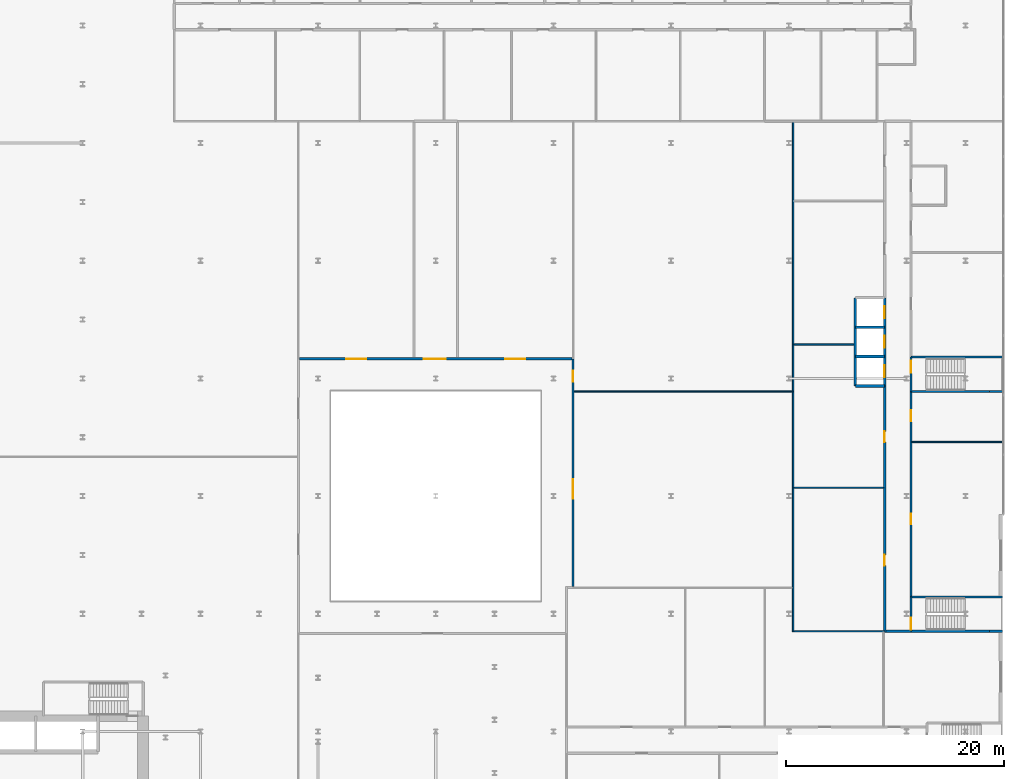
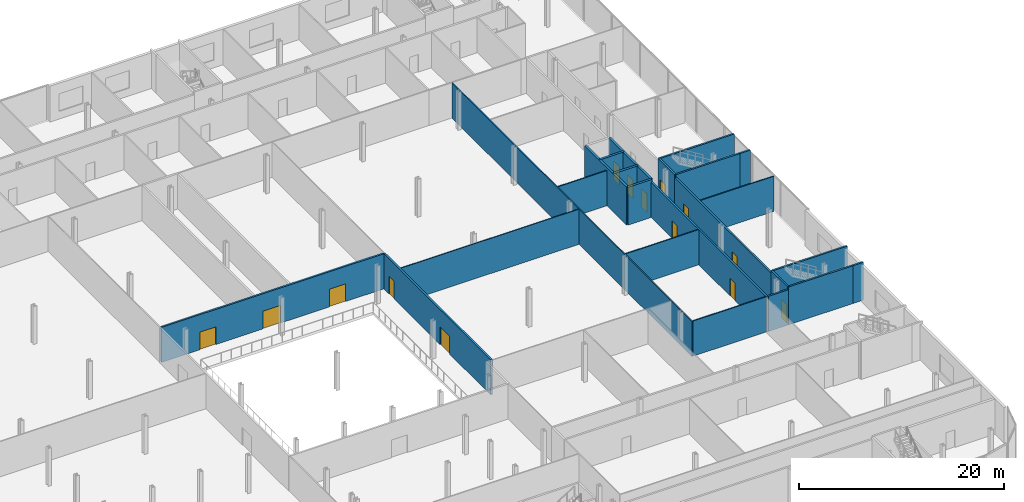
# One storey, part 33 of 47: 24 walls, 14 doors, 14 openings.
"""IFC4 building model written with IfcOpenShell, lengths in metres."""

import ifcopenshell
import ifcopenshell.guid

model = None  # the IFC model being written
_history = None  # IfcOwnerHistory: only IFC2X3 demands one
_inside = {}  # id of a spatial element -> (the spatial element, [elements in it])
_under = {}  # id of a project, library or spatial element -> (it, [spatial elements below it])
_declared = {}  # id of a project -> (the project, [libraries it declares])
_typed = {}  # id of a type object -> (the type object, [elements of that type])
_made_of = {}  # id of a material, layer set ... -> (it, [elements and type objects made of it])


def new_model(schema):
    """Start an empty IFC model of exactly this schema.

    Asked for "IFC4X3", IfcOpenShell would pick the latest addendum, in which some entities
    have other attributes; the version numbers below select the first issue.
    IFC2X3 requires an IfcOwnerHistory on every rooted entity: one is made here for all.
    """
    global model, _history
    if schema == "IFC4X3":
        model = ifcopenshell.file(schema_version=(4, 3, 0, 0))
    else:
        model = ifcopenshell.file(schema=schema)
    _inside.clear()
    _under.clear()
    _declared.clear()
    _typed.clear()
    _made_of.clear()
    _history = None
    if model.schema == "IFC2X3":
        org = make("IfcOrganization", Name="unknown")
        user = make(
            "IfcPersonAndOrganization",
            ThePerson=make("IfcPerson", FamilyName="unknown"),
            TheOrganization=org,
        )
        app = make(
            "IfcApplication",
            ApplicationDeveloper=org,
            Version="unknown",
            ApplicationFullName="unknown",
            ApplicationIdentifier="unknown",
        )
        _history = make(
            "IfcOwnerHistory",
            OwningUser=user,
            OwningApplication=app,
            ChangeAction="ADDED",
            CreationDate=0,
        )
    return model


def make(cls, **values):
    """One entity of the class cls with the attributes given. An attribute that is None is left unset."""
    return model.create_entity(
        cls, **{name: value for name, value in values.items() if value is not None}
    )


def rooted(cls, **values):
    """An entity with a GlobalId (a new one), such as an element, a storey or a relation."""
    return make(cls, GlobalId=ifcopenshell.guid.new(), OwnerHistory=_history, **values)


def si_unit(unit_type, name, prefix=None):
    """IfcSIUnit, for example si_unit("LENGTHUNIT", "METRE", prefix="MILLI")."""
    return make("IfcSIUnit", UnitType=unit_type, Prefix=prefix, Name=name)


def assignment(units):
    """IfcUnitAssignment: the units of a project."""
    return None if units is None else make("IfcUnitAssignment", Units=units)


def point(xyz):
    """IfcCartesianPoint."""
    return None if xyz is None else make("IfcCartesianPoint", Coordinates=xyz)


def direction(xyz):
    """IfcDirection."""
    return None if xyz is None else make("IfcDirection", DirectionRatios=xyz)


def frame(location, z_axis=None, x_axis=None):
    """IfcAxis2Placement3D, a coordinate frame: its origin and axes. An axis left out is left unset."""
    return make(
        "IfcAxis2Placement3D",
        Location=point(location),
        Axis=direction(z_axis),
        RefDirection=direction(x_axis),
    )


def frame_2d(location, x_axis=None):
    """IfcAxis2Placement2D, a coordinate frame in the plane: its origin and x axis."""
    return make(
        "IfcAxis2Placement2D", Location=point(location), RefDirection=direction(x_axis)
    )


def origin():
    """The frame at (0, 0, 0) with its axes left unset."""
    return frame((0.0, 0.0, 0.0))


def place(relative_to, where):
    """IfcLocalPlacement: puts the frame where relative to a parent placement (None: the world)."""
    return make(
        "IfcLocalPlacement", PlacementRelTo=relative_to, RelativePlacement=where
    )


def context(
    kind, dimensions, precision=None, world=None, true_north=None, identifier=None
):
    """IfcGeometricRepresentationContext, for example the 3D "Model" context."""
    return make(
        "IfcGeometricRepresentationContext",
        ContextIdentifier=identifier,
        ContextType=kind,
        CoordinateSpaceDimension=dimensions,
        Precision=precision,
        WorldCoordinateSystem=world,
        TrueNorth=true_north,
    )


def subcontext(parent, identifier, kind, view, scale=None):
    """IfcGeometricRepresentationSubContext, for example "Body" below "Model"."""
    return make(
        "IfcGeometricRepresentationSubContext",
        ContextIdentifier=identifier,
        ContextType=kind,
        ParentContext=parent,
        TargetScale=scale,
        TargetView=view,
    )


def project(units=None, contexts=None):
    """IfcProject with its units and contexts."""
    return rooted(
        "IfcProject",
        Name="project",
        RepresentationContexts=contexts,
        UnitsInContext=assignment(units),
    )


def spatial(cls, under=None, at=None, **own):
    """A site, building, storey or space (cls), placed at a placement, below another one or the project."""
    s = rooted(cls, ObjectPlacement=at, **own)
    if under is not None:
        _under.setdefault(under.id(), (under, []))[1].append(s)
    return s


def profile(cls, at=None, kind="AREA", **sizes):
    """A parametric profile (cls). Its sizes go by their IFC names, for example OverallWidth=200.0."""
    return make(cls, ProfileType=kind, Position=at, **sizes)


def rectangle(**sizes):
    """IfcRectangleProfileDef."""
    return profile("IfcRectangleProfileDef", **sizes)


def extrude(swept, where, along, depth):
    """IfcExtrudedAreaSolid: the profile swept, set in the frame where, extruded along a direction by depth."""
    return make(
        "IfcExtrudedAreaSolid",
        SweptArea=swept,
        Position=where,
        ExtrudedDirection=direction(along),
        Depth=depth,
    )


def shape(context_of_items, identifier, shape_type, items):
    """IfcShapeRepresentation: the items that make up one representation, for example the "Body"."""
    return make(
        "IfcShapeRepresentation",
        ContextOfItems=context_of_items,
        RepresentationIdentifier=identifier,
        RepresentationType=shape_type,
        Items=items,
    )


def source(mapping_origin, context_of_items, identifier, shape_type, items):
    """IfcRepresentationMap: a shape defined once, which mapped items show again and again."""
    return make(
        "IfcRepresentationMap",
        MappingOrigin=mapping_origin,
        MappedRepresentation=shape(context_of_items, identifier, shape_type, items),
    )


def transform(
    local_origin,
    x_axis=None,
    y_axis=None,
    z_axis=None,
    scale=None,
    scale2=None,
    scale3=None,
    uniform=True,
):
    """IfcCartesianTransformationOperator3D, or its non-uniform kind. x_axis, y_axis, z_axis: its Axis1, 2, 3."""
    if uniform:
        return make(
            "IfcCartesianTransformationOperator3D",
            Axis1=direction(x_axis),
            Axis2=direction(y_axis),
            LocalOrigin=point(local_origin),
            Scale=scale,
            Axis3=direction(z_axis),
        )
    return make(
        "IfcCartesianTransformationOperator3DnonUniform",
        Axis1=direction(x_axis),
        Axis2=direction(y_axis),
        LocalOrigin=point(local_origin),
        Scale=scale,
        Axis3=direction(z_axis),
        Scale2=scale2,
        Scale3=scale3,
    )


def mapped(mapping_source, mapping_target):
    """IfcMappedItem: shows the shape of a source again, moved by a transform."""
    return make(
        "IfcMappedItem", MappingSource=mapping_source, MappingTarget=mapping_target
    )


def material(Name=None, Category=None):
    """IfcMaterial."""
    return make("IfcMaterial", Name=Name, Category=Category)


def layer(
    of_material, thickness, ventilated=None, Name=None, Category=None, Priority=None
):
    """IfcMaterialLayer: one layer of a wall or slab, of a material (None: an air gap)."""
    return make(
        "IfcMaterialLayer",
        Material=of_material,
        LayerThickness=thickness,
        IsVentilated=ventilated,
        Name=Name,
        Category=Category,
        Priority=Priority,
    )


def layer_set(layers, Name=None):
    """IfcMaterialLayerSet."""
    return make("IfcMaterialLayerSet", MaterialLayers=layers, LayerSetName=Name)


def made_of(thing, what):
    """Note that an element or type object is made of a material, layer set ...; save() writes the relation."""
    if what is not None:
        _made_of.setdefault(what.id(), (what, []))[1].append(thing)
    return thing


def type_object(cls, material=None, **own):
    """A type object (cls), such as IfcWallType, which elements share."""
    return made_of(rooted(cls, **own), material)


def element(
    cls,
    number,
    at=None,
    inside=None,
    cuts=None,
    type_object=None,
    material=None,
    context=None,
    identifier="Body",
    shape_type=None,
    held_by="IfcProductDefinitionShape",
    body=None,
    shapes=None,
    **own,
):
    """One element of the class cls, such as IfcWall. Its Tag is "e" and its number.

    at: its placement. inside: the storey or other place that contains it. cuts: it is an
    opening in that element (IfcRelVoidsElement). A single representation is given by context,
    identifier, shape_type and body (its items); several are given by shapes. held_by: the class
    of the entity that holds the representations. save() writes the other relations.
    """
    e = rooted(cls, Tag="e%d" % number, ObjectPlacement=at, **own)
    if body is not None:
        shapes = [shape(context, identifier, shape_type, body)]
    if shapes is not None:
        e.Representation = make(held_by, Representations=shapes)
    if inside is not None:
        _inside.setdefault(inside.id(), (inside, []))[1].append(e)
    if cuts is not None:
        rooted(
            "IfcRelVoidsElement", RelatingBuildingElement=cuts, RelatedOpeningElement=e
        )
    if type_object is not None:
        _typed.setdefault(type_object.id(), (type_object, []))[1].append(e)
    return made_of(e, material)


def fill(opening, filler):
    """IfcRelFillsElement: the door or window that sits in an opening."""
    return rooted(
        "IfcRelFillsElement",
        RelatingOpeningElement=opening,
        RelatedBuildingElement=filler,
    )


def aggregate(whole, parts):
    """IfcRelAggregates: a whole, such as a stair, and the parts it consists of."""
    return rooted("IfcRelAggregates", RelatingObject=whole, RelatedObjects=parts)


def save(model, path):
    """Write the relations noted so far, then the file.

    IfcRelAggregates (storeys below a building ...), IfcRelContainedInSpatialStructure (elements
    in a storey), IfcRelDefinesByType, IfcRelAssociatesMaterial and IfcRelDeclares: one each for
    every whole, place, type object, material and project.
    """
    for whole, parts in _under.values():
        aggregate(whole, parts)
    for where, things in _inside.values():
        rooted(
            "IfcRelContainedInSpatialStructure",
            RelatedElements=things,
            RelatingStructure=where,
        )
    for kind, things in _typed.values():
        rooted("IfcRelDefinesByType", RelatedObjects=things, RelatingType=kind)
    for what, things in _made_of.values():
        rooted("IfcRelAssociatesMaterial", RelatedObjects=things, RelatingMaterial=what)
    for by, libraries in _declared.values():
        rooted("IfcRelDeclares", RelatingContext=by, RelatedDefinitions=libraries)
    model.write(path)


model = new_model("IFC4")

# Units and contexts
model_context = context("Model", 3, precision=1e-05, world=origin(), true_north=direction((0.0, 1.0)))
body_context = subcontext(model_context, "Body", "Model", "MODEL_VIEW")
ifc_project = project(units=[si_unit("LENGTHUNIT", "METRE"), si_unit("AREAUNIT", "SQUARE_METRE"), si_unit("VOLUMEUNIT", "CUBIC_METRE"), si_unit("PLANEANGLEUNIT", "RADIAN"), si_unit("MASSUNIT", "GRAM", prefix="KILO")], contexts=[model_context])

# Site, building, storey
site_placement = place(None, origin())
site = spatial("IfcSite", under=ifc_project, at=site_placement, CompositionType="ELEMENT")
building_placement = place(site_placement, origin())
building = spatial("IfcBuilding", under=site, at=building_placement, Name="Kheshtan School and Residences Tower", CompositionType="ELEMENT")
storey_placement = place(building_placement, frame((0.0, 0.0, 21.5)))
storey = spatial("IfcBuildingStorey", under=building, at=storey_placement, Name="L04", CompositionType="ELEMENT", Elevation=21.5)

# Walls
ifc_material_1 = material(Name="Gypsum board on steel studs with mineral wool", Category="steel")
ifc_layer_1 = layer(ifc_material_1, 0.125)
ifc_layer_set_1 = layer_set([ifc_layer_1], Name="Acoustic partition 125")
wall_type_1 = type_object("IfcWallType", Name="Acoustic partition 125", PredefinedType="PARTITIONING", material=ifc_layer_set_1)
wall_1_placement = place(storey_placement, frame((112.800048828125, 43.93798828125, 0.0), z_axis=(0.0, 0.0, 1.0), x_axis=(0.0, 1.0, 0.0)))
element("IfcWall", 1, at=wall_1_placement, inside=storey, type_object=wall_type_1, Name="Partition L04-068", PredefinedType="PARTITIONING", context=body_context, shape_type="SweptSolid", body=[
    extrude(rectangle(XDim=46.787109375, YDim=0.125, at=frame_2d((23.3935546875, 0.0))), origin(), (0.0, 0.0, 1.0), 4.179931640625),
])
wall_2_placement = place(storey_placement, frame((112.862060546875, 44.0, 0.0), z_axis=(0.0, 0.0, 1.0), x_axis=(1.0, 0.0, 0.0)))
element("IfcWall", 2, at=wall_2_placement, inside=storey, type_object=wall_type_1, Name="Partition L04-069", PredefinedType="PARTITIONING", context=body_context, shape_type="SweptSolid", body=[
    extrude(rectangle(XDim=8.279052734375, YDim=0.125, at=frame_2d((4.1396484375, 0.0))), origin(), (0.0, 0.0, 1.0), 4.179931640625),
])
wall_3_placement = place(storey_placement, frame((112.862060546875, 57.162109375, 0.0), z_axis=(0.0, 0.0, 1.0), x_axis=(1.0, 0.0, 0.0)))
element("IfcWall", 3, at=wall_3_placement, inside=storey, type_object=wall_type_1, Name="Partition L04-070", PredefinedType="PARTITIONING", context=body_context, shape_type="SweptSolid", body=[
    extrude(rectangle(XDim=8.238037109375, YDim=0.125, at=frame_2d((4.119140625, 0.0))), origin(), (0.0, 0.0, 1.0), 4.179931640625),
])
wall_4_placement = place(storey_placement, frame((112.862060546875, 70.324951171875, 0.0), z_axis=(0.0, 0.0, 1.0), x_axis=(1.0, 0.0, 0.0)))
element("IfcWall", 4, at=wall_4_placement, inside=storey, type_object=wall_type_1, Name="Partition L04-071", PredefinedType="PARTITIONING", context=body_context, shape_type="SweptSolid", body=[
    extrude(rectangle(XDim=5.513916015625, YDim=0.125, at=frame_2d((2.7568359375, 0.0))), origin(), (0.0, 0.0, 1.0), 4.179931640625),
])
wall_5_placement = place(storey_placement, frame((123.699951171875, 61.368896484375, 0.0), z_axis=(0.0, 0.0, 1.0), x_axis=(1.0, 0.0, 0.0)))
element("IfcWall", 5, at=wall_5_placement, inside=storey, type_object=wall_type_1, Name="Partition L04-091", PredefinedType="PARTITIONING", context=body_context, shape_type="SweptSolid", body=[
    extrude(rectangle(XDim=8.300048828125, YDim=0.125, at=frame_2d((4.14990234375, 0.0))), origin(), (0.0, 0.0, 1.0), 4.179931640625),
])

# Wall, openings, doors
ifc_material_2 = material(Name="Gypsum board on steel studs with fire boards", Category="steel")
ifc_layer_2 = layer(ifc_material_2, 0.199951171875)
ifc_layer_set_2 = layer_set([ifc_layer_2], Name="Corridor wall 200")
wall_type_2 = type_object("IfcWallType", Name="Corridor wall 200", PredefinedType="PARTITIONING", material=ifc_layer_set_2)
wall_6_placement = place(storey_placement, frame((67.5, 69.0, 0.0), z_axis=(0.0, 0.0, 1.0), x_axis=(1.0, 0.0, 0.0)))
wall_6 = element("IfcWall", 6, at=wall_6_placement, inside=storey, type_object=wall_type_2, Name="Partition L04-033", PredefinedType="PARTITIONING", context=body_context, shape_type="SweptSolid", body=[
    extrude(rectangle(XDim=25.0, YDim=0.199951171875, at=frame_2d((12.5, 0.0))), origin(), (0.0, 0.0, 1.0), 4.179931640625),
])
opening_1_placement = place(wall_6_placement, frame((11.39990234375, 0.0, 0.0)))
opening_1 = element("IfcOpeningElement", 7, at=opening_1_placement, cuts=wall_6, Name="Opening D04-012", PredefinedType="OPENING", context=body_context, shape_type="SweptSolid", body=[
    extrude(rectangle(XDim=2.0, YDim=2.10009765625, at=frame_2d((1.0, 1.050048828125))), frame((0.0, 0.10986328125, 0.0), z_axis=(0.0, -1.0, 0.0), x_axis=(1.0, 0.0, 0.0)), (0.0, 0.0, 1.0), 0.219970703125),
])
opening_2_placement = place(wall_6_placement, frame((4.300048828125, 0.0, 0.0)))
opening_2 = element("IfcOpeningElement", 8, at=opening_2_placement, cuts=wall_6, Name="Opening D04-032", PredefinedType="OPENING", context=body_context, shape_type="SweptSolid", body=[
    extrude(rectangle(XDim=1.800048828125, YDim=2.10009765625, at=frame_2d((0.89990234375, 1.050048828125))), frame((0.0, 0.10986328125, 0.0), z_axis=(0.0, -1.0, 0.0), x_axis=(1.0, 0.0, 0.0)), (0.0, 0.0, 1.0), 0.219970703125),
])
opening_3_placement = place(wall_6_placement, frame((18.89990234375, 0.0, 0.0)))
opening_3 = element("IfcOpeningElement", 9, at=opening_3_placement, cuts=wall_6, Name="Opening D04-033", PredefinedType="OPENING", context=body_context, shape_type="SweptSolid", body=[
    extrude(rectangle(XDim=1.800048828125, YDim=2.10009765625, at=frame_2d((0.89990234375, 1.050048828125))), frame((0.0, 0.10986328125, 0.0), z_axis=(0.0, -1.0, 0.0), x_axis=(1.0, 0.0, 0.0)), (0.0, 0.0, 1.0), 0.219970703125),
])
ifc_material_3 = material(Name="Steel-framed fire-resisting door leaf", Category="steel")
door_type_1 = type_object("IfcDoorType", Name="Fire double door FD60 1800 x 2100", OperationType="DOUBLE_DOOR_SINGLE_SWING", PredefinedType="DOOR", material=ifc_material_3)
shared_shape_1 = source(origin(), body_context, "Body", "SweptSolid", [
    extrude(rectangle(XDim=1.800048828125, YDim=2.10009765625, at=frame_2d((0.89990234375, 1.050048828125))), frame((0.0, 0.02490234375, 0.0), z_axis=(0.0, -1.0, 0.0), x_axis=(1.0, 0.0, 0.0)), (0.0, 0.0, 1.0), 0.050048828125),
])
door_1_placement = place(opening_2_placement, origin())
door_1 = element("IfcDoor", 10, at=door_1_placement, inside=storey, type_object=door_type_1, Name="Door D04-032", OperationType="DOUBLE_DOOR_SINGLE_SWING", OverallHeight=2.10009765625, OverallWidth=1.800048828125, PredefinedType="DOOR", context=body_context, shape_type="MappedRepresentation", body=[
    mapped(shared_shape_1, transform((0.0, 0.0, 0.0), x_axis=(1.0, 0.0, 0.0), y_axis=(0.0, 1.0, 0.0), z_axis=(0.0, 0.0, 1.0), scale=1.0)),
])
fill(opening_2, door_1)
door_2_placement = place(opening_3_placement, origin())
door_2 = element("IfcDoor", 11, at=door_2_placement, inside=storey, type_object=door_type_1, Name="Door D04-033", OperationType="DOUBLE_DOOR_SINGLE_SWING", OverallHeight=2.10009765625, OverallWidth=1.800048828125, PredefinedType="DOOR", context=body_context, shape_type="MappedRepresentation", body=[
    mapped(shared_shape_1, transform((0.0, 0.0, 0.0), x_axis=(1.0, 0.0, 0.0), y_axis=(0.0, 1.0, 0.0), z_axis=(0.0, 0.0, 1.0), scale=1.0)),
])
fill(opening_3, door_2)
door_type_2 = type_object("IfcDoorType", Name="Fire double door FD60 2000 x 2100", OperationType="DOUBLE_DOOR_SINGLE_SWING", PredefinedType="DOOR", material=ifc_material_3)
shared_shape_2 = source(origin(), body_context, "Body", "SweptSolid", [
    extrude(rectangle(XDim=2.0, YDim=2.10009765625, at=frame_2d((1.0, 1.050048828125))), frame((0.0, 0.02490234375, 0.0), z_axis=(0.0, -1.0, 0.0), x_axis=(1.0, 0.0, 0.0)), (0.0, 0.0, 1.0), 0.050048828125),
])
door_3_placement = place(opening_1_placement, origin())
door_3 = element("IfcDoor", 12, at=door_3_placement, inside=storey, type_object=door_type_2, Name="Door D04-012", OperationType="DOUBLE_DOOR_SINGLE_SWING", OverallHeight=2.10009765625, OverallWidth=2.0, PredefinedType="DOOR", context=body_context, shape_type="MappedRepresentation", body=[
    mapped(shared_shape_2, transform((0.0, 0.0, 0.0), x_axis=(1.0, 0.0, 0.0), y_axis=(0.0, 1.0, 0.0), z_axis=(0.0, 0.0, 1.0), scale=1.0)),
])
fill(opening_1, door_3)

wall_7_placement = place(storey_placement, frame((92.60009765625, 48.10009765625, 0.0), z_axis=(0.0, 0.0, 1.0), x_axis=(0.0, 1.0, 0.0)))
wall_7 = element("IfcWall", 13, at=wall_7_placement, inside=storey, type_object=wall_type_2, Name="Partition L04-054", PredefinedType="PARTITIONING", context=body_context, shape_type="SweptSolid", body=[
    extrude(rectangle(XDim=20.89990234375, YDim=0.199951171875, at=frame_2d((10.449951171875, 0.0))), origin(), (0.0, 0.0, 1.0), 4.179931640625),
])
opening_4_placement = place(wall_7_placement, frame((8.050048828125, 0.0, 0.0)))
opening_4 = element("IfcOpeningElement", 14, at=opening_4_placement, cuts=wall_7, Name="Opening D04-010", PredefinedType="OPENING", context=body_context, shape_type="SweptSolid", body=[
    extrude(rectangle(XDim=1.800048828125, YDim=2.10009765625, at=frame_2d((0.89990234375, 1.050048828125))), frame((0.0, 0.10986328125, 0.0), z_axis=(0.0, -1.0, 0.0), x_axis=(1.0, 0.0, 0.0)), (0.0, 0.0, 1.0), 0.219970703125),
])
opening_5_placement = place(wall_7_placement, frame((18.800048828125, 0.0, 0.0)))
opening_5 = element("IfcOpeningElement", 15, at=opening_5_placement, cuts=wall_7, Name="Opening D04-011", PredefinedType="OPENING", context=body_context, shape_type="SweptSolid", body=[
    extrude(rectangle(XDim=1.0, YDim=2.10009765625, at=frame_2d((0.5, 1.050048828125))), frame((0.0, 0.10986328125, 0.0), z_axis=(0.0, -1.0, 0.0), x_axis=(1.0, 0.0, 0.0)), (0.0, 0.0, 1.0), 0.219970703125),
])
door_4_placement = place(opening_4_placement, origin())
door_4 = element("IfcDoor", 16, at=door_4_placement, inside=storey, type_object=door_type_1, Name="Door D04-010", OperationType="DOUBLE_DOOR_SINGLE_SWING", OverallHeight=2.10009765625, OverallWidth=1.800048828125, PredefinedType="DOOR", context=body_context, shape_type="MappedRepresentation", body=[
    mapped(shared_shape_1, transform((0.0, 0.0, 0.0), x_axis=(1.0, 0.0, 0.0), y_axis=(0.0, 1.0, 0.0), z_axis=(0.0, 0.0, 1.0), scale=1.0)),
])
fill(opening_4, door_4)
door_type_3 = type_object("IfcDoorType", Name="Fire door FD60 1000 x 2100", OperationType="SINGLE_SWING_LEFT", PredefinedType="DOOR", material=ifc_material_3)
shared_shape_3 = source(origin(), body_context, "Body", "SweptSolid", [
    extrude(rectangle(XDim=1.0, YDim=2.10009765625, at=frame_2d((0.5, 1.050048828125))), frame((0.0, 0.02490234375, 0.0), z_axis=(0.0, -1.0, 0.0), x_axis=(1.0, 0.0, 0.0)), (0.0, 0.0, 1.0), 0.050048828125),
])
door_5_placement = place(opening_5_placement, origin())
door_5 = element("IfcDoor", 17, at=door_5_placement, inside=storey, type_object=door_type_3, Name="Door D04-011", OperationType="SINGLE_SWING_RIGHT", OverallHeight=2.10009765625, OverallWidth=1.0, PredefinedType="DOOR", context=body_context, shape_type="MappedRepresentation", body=[
    mapped(shared_shape_3, transform((0.0, 0.0, 0.0), x_axis=(1.0, 0.0, 0.0), y_axis=(0.0, 1.0, 0.0), z_axis=(0.0, 0.0, 1.0), scale=1.0)),
])
fill(opening_5, door_5)

wall_8_placement = place(storey_placement, frame((121.199951171875, 43.89990234375, 0.0), z_axis=(0.0, 0.0, 1.0), x_axis=(0.0, 1.0, 0.0)))
wall_8 = element("IfcWall", 18, at=wall_8_placement, inside=storey, type_object=wall_type_2, Name="Partition L04-081", PredefinedType="PARTITIONING", context=body_context, shape_type="SweptSolid", body=[
    extrude(rectangle(XDim=22.60009765625, YDim=0.199951171875, at=frame_2d((11.300048828125, 0.0))), origin(), (0.0, 0.0, 1.0), 4.179931640625),
])
opening_6_placement = place(wall_8_placement, frame((6.112060546875, 0.0, 0.0)))
opening_6 = element("IfcOpeningElement", 19, at=opening_6_placement, cuts=wall_8, Name="Opening D04-001", PredefinedType="OPENING", context=body_context, shape_type="SweptSolid", body=[
    extrude(rectangle(XDim=1.0, YDim=2.10009765625, at=frame_2d((0.5, 1.050048828125))), frame((0.0, 0.10986328125, 0.0), z_axis=(0.0, -1.0, 0.0), x_axis=(1.0, 0.0, 0.0)), (0.0, 0.0, 1.0), 0.219970703125),
])
opening_7_placement = place(wall_8_placement, frame((17.449951171875, 0.0, 0.0)))
opening_7 = element("IfcOpeningElement", 20, at=opening_7_placement, cuts=wall_8, Name="Opening D04-002", PredefinedType="OPENING", context=body_context, shape_type="SweptSolid", body=[
    extrude(rectangle(XDim=1.0, YDim=2.10009765625, at=frame_2d((0.5, 1.050048828125))), frame((0.0, 0.10986328125, 0.0), z_axis=(0.0, -1.0, 0.0), x_axis=(1.0, 0.0, 0.0)), (0.0, 0.0, 1.0), 0.219970703125),
])
door_6_placement = place(opening_6_placement, origin())
door_6 = element("IfcDoor", 21, at=door_6_placement, inside=storey, type_object=door_type_3, Name="Door D04-001", OperationType="SINGLE_SWING_RIGHT", OverallHeight=2.10009765625, OverallWidth=1.0, PredefinedType="DOOR", context=body_context, shape_type="MappedRepresentation", body=[
    mapped(shared_shape_3, transform((0.0, 0.0, 0.0), x_axis=(1.0, 0.0, 0.0), y_axis=(0.0, 1.0, 0.0), z_axis=(0.0, 0.0, 1.0), scale=1.0)),
])
fill(opening_6, door_6)
door_7_placement = place(opening_7_placement, origin())
door_7 = element("IfcDoor", 22, at=door_7_placement, inside=storey, type_object=door_type_3, Name="Door D04-002", OperationType="SINGLE_SWING_LEFT", OverallHeight=2.10009765625, OverallWidth=1.0, PredefinedType="DOOR", context=body_context, shape_type="MappedRepresentation", body=[
    mapped(shared_shape_3, transform((0.0, 0.0, 0.0), x_axis=(1.0, 0.0, 0.0), y_axis=(0.0, 1.0, 0.0), z_axis=(0.0, 0.0, 1.0), scale=1.0)),
])
fill(opening_7, door_7)

# Wall
wall_9_placement = place(storey_placement, frame((121.300048828125, 44.0, 0.0), z_axis=(0.0, 0.0, 1.0), x_axis=(1.0, 0.0, 0.0)))
element("IfcWall", 23, at=wall_9_placement, inside=storey, type_object=wall_type_2, Name="Partition L04-084", PredefinedType="PARTITIONING", context=body_context, shape_type="SweptSolid", body=[
    extrude(rectangle(XDim=2.300048828125, YDim=0.199951171875, at=frame_2d((1.14990234375, 0.0))), origin(), (0.0, 0.0, 1.0), 4.179931640625),
])

# Wall, openings, doors
wall_10_placement = place(storey_placement, frame((123.60009765625, 47.14990234375, 0.0), z_axis=(0.0, 0.0, 1.0), x_axis=(0.0, 1.0, 0.0)))
wall_10 = element("IfcWall", 24, at=wall_10_placement, inside=storey, type_object=wall_type_2, Name="Partition L04-085", PredefinedType="PARTITIONING", context=body_context, shape_type="SweptSolid", body=[
    extrude(rectangle(XDim=18.85009765625, YDim=0.199951171875, at=frame_2d((9.425048828125, 0.0))), origin(), (0.0, 0.0, 1.0), 4.179931640625),
])
opening_8_placement = place(wall_10_placement, frame((6.64990234375, 0.0, 0.0)))
opening_8 = element("IfcOpeningElement", 25, at=opening_8_placement, cuts=wall_10, Name="Opening D04-005", PredefinedType="OPENING", context=body_context, shape_type="SweptSolid", body=[
    extrude(rectangle(XDim=1.0, YDim=2.10009765625, at=frame_2d((0.5, 1.050048828125))), frame((0.0, 0.10986328125, 0.0), z_axis=(0.0, -1.0, 0.0), x_axis=(1.0, 0.0, 0.0)), (0.0, 0.0, 1.0), 0.219970703125),
])
opening_9_placement = place(wall_10_placement, frame((16.118896484375, 0.0, 0.0)))
opening_9 = element("IfcOpeningElement", 26, at=opening_9_placement, cuts=wall_10, Name="Opening D04-006", PredefinedType="OPENING", context=body_context, shape_type="SweptSolid", body=[
    extrude(rectangle(XDim=1.0, YDim=2.10009765625, at=frame_2d((0.5, 1.050048828125))), frame((0.0, 0.10986328125, 0.0), z_axis=(0.0, -1.0, 0.0), x_axis=(1.0, 0.0, 0.0)), (0.0, 0.0, 1.0), 0.219970703125),
])
door_8_placement = place(opening_8_placement, origin())
door_8 = element("IfcDoor", 27, at=door_8_placement, inside=storey, type_object=door_type_3, Name="Door D04-005", OperationType="SINGLE_SWING_RIGHT", OverallHeight=2.10009765625, OverallWidth=1.0, PredefinedType="DOOR", context=body_context, shape_type="MappedRepresentation", body=[
    mapped(shared_shape_3, transform((0.0, 0.0, 0.0), x_axis=(1.0, 0.0, 0.0), y_axis=(0.0, 1.0, 0.0), z_axis=(0.0, 0.0, 1.0), scale=1.0)),
])
fill(opening_8, door_8)
door_9_placement = place(opening_9_placement, origin())
door_9 = element("IfcDoor", 28, at=door_9_placement, inside=storey, type_object=door_type_3, Name="Door D04-006", OperationType="SINGLE_SWING_RIGHT", OverallHeight=2.10009765625, OverallWidth=1.0, PredefinedType="DOOR", context=body_context, shape_type="MappedRepresentation", body=[
    mapped(shared_shape_3, transform((0.0, 0.0, 0.0), x_axis=(1.0, 0.0, 0.0), y_axis=(0.0, 1.0, 0.0), z_axis=(0.0, 0.0, 1.0), scale=1.0)),
])
fill(opening_9, door_9)

# Walls
ifc_material_4 = material(Name="Gypsum board on steel studs", Category="steel")
ifc_layer_3 = layer(ifc_material_4, 0.10009765625)
ifc_layer_set_3 = layer_set([ifc_layer_3], Name="Gypsum partition 100")
wall_type_3 = type_object("IfcWallType", Name="Gypsum partition 100", PredefinedType="PARTITIONING", material=ifc_layer_set_3)
wall_11_placement = place(storey_placement, frame((92.699951171875, 66.0, 0.0), z_axis=(0.0, 0.0, 1.0), x_axis=(1.0, 0.0, 0.0)))
element("IfcWall", 29, at=wall_11_placement, inside=storey, type_object=wall_type_3, Name="Partition L04-056", PredefinedType="PARTITIONING", context=body_context, shape_type="SweptSolid", body=[
    extrude(rectangle(XDim=20.0380859375, YDim=0.10009765625, at=frame_2d((10.01904296875, 0.0))), origin(), (0.0, 0.0, 1.0), 4.179931640625),
])
ifc_material_5 = material(Name="Fire-board shaft wall system")
ifc_layer_4 = layer(ifc_material_5, 0.25)
ifc_layer_set_4 = layer_set([ifc_layer_4], Name="Shaft lining wall 250")
wall_type_4 = type_object("IfcWallType", Name="Shaft lining wall 250", PredefinedType="PARTITIONING", material=ifc_layer_set_4)
wall_12_placement = place(storey_placement, frame((118.5, 66.5, 0.0), z_axis=(0.0, 0.0, 1.0), x_axis=(0.0, 1.0, 0.0)))
element("IfcWall", 30, at=wall_12_placement, inside=storey, type_object=wall_type_4, Name="Shaft lining wall", PredefinedType="PARTITIONING", context=body_context, shape_type="SweptSolid", body=[
    extrude(rectangle(XDim=8.10009765625, YDim=0.25, at=frame_2d((4.050048828125, 0.0))), origin(), (0.0, 0.0, 1.0), 4.5),
])

# Wall, openings, doors
wall_13_placement = place(storey_placement, frame((121.199951171875, 66.5, 0.0), z_axis=(0.0, 0.0, 1.0), x_axis=(0.0, 1.0, 0.0)))
wall_13 = element("IfcWall", 31, at=wall_13_placement, inside=storey, type_object=wall_type_4, Name="Shaft lining wall", PredefinedType="PARTITIONING", context=body_context, shape_type="SweptSolid", body=[
    extrude(rectangle(XDim=8.10009765625, YDim=0.25, at=frame_2d((4.050048828125, 0.0))), origin(), (0.0, 0.0, 1.0), 4.5),
])
opening_10_placement = place(wall_13_placement, frame((0.800048828125, 0.0, 0.0)))
opening_10 = element("IfcOpeningElement", 32, at=opening_10_placement, cuts=wall_13, Name="Opening LD", PredefinedType="OPENING", context=body_context, shape_type="SweptSolid", body=[
    extrude(rectangle(XDim=1.10009765625, YDim=2.199951171875, at=frame_2d((0.550048828125, 1.10009765625))), frame((0.0, 0.135009765625, 0.0), z_axis=(0.0, -1.0, 0.0), x_axis=(1.0, 0.0, 0.0)), (0.0, 0.0, 1.0), 0.27001953125),
])
opening_11_placement = place(wall_13_placement, frame((3.5, 0.0, 0.0)))
opening_11 = element("IfcOpeningElement", 33, at=opening_11_placement, cuts=wall_13, Name="Opening LD", PredefinedType="OPENING", context=body_context, shape_type="SweptSolid", body=[
    extrude(rectangle(XDim=1.10009765625, YDim=2.199951171875, at=frame_2d((0.550048828125, 1.10009765625))), frame((0.0, 0.135009765625, 0.0), z_axis=(0.0, -1.0, 0.0), x_axis=(1.0, 0.0, 0.0)), (0.0, 0.0, 1.0), 0.27001953125),
])
opening_12_placement = place(wall_13_placement, frame((6.199951171875, 0.0, 0.0)))
opening_12 = element("IfcOpeningElement", 34, at=opening_12_placement, cuts=wall_13, Name="Opening LD", PredefinedType="OPENING", context=body_context, shape_type="SweptSolid", body=[
    extrude(rectangle(XDim=1.10009765625, YDim=2.199951171875, at=frame_2d((0.550048828125, 1.10009765625))), frame((0.0, 0.135009765625, 0.0), z_axis=(0.0, -1.0, 0.0), x_axis=(1.0, 0.0, 0.0)), (0.0, 0.0, 1.0), 0.27001953125),
])
ifc_material_6 = material(Name="Stainless steel door leaves", Category="steel")
door_type_4 = type_object("IfcDoorType", Name="Lift landing door 1100", OperationType="SLIDING_TO_LEFT", PredefinedType="DOOR", material=ifc_material_6)
shared_shape_4 = source(origin(), body_context, "Body", "SweptSolid", [
    extrude(rectangle(XDim=1.10009765625, YDim=2.199951171875, at=frame_2d((0.550048828125, 1.10009765625))), frame((0.0, 0.02490234375, 0.0), z_axis=(0.0, -1.0, 0.0), x_axis=(1.0, 0.0, 0.0)), (0.0, 0.0, 1.0), 0.050048828125),
])
door_10_placement = place(opening_10_placement, origin())
door_10 = element("IfcDoor", 35, at=door_10_placement, inside=storey, type_object=door_type_4, Name="Lift SCL1 landing door", OperationType="SLIDING_TO_LEFT", OverallHeight=2.199951171875, OverallWidth=1.10009765625, PredefinedType="DOOR", context=body_context, shape_type="MappedRepresentation", body=[
    mapped(shared_shape_4, transform((0.0, 0.0, 0.0), x_axis=(1.0, 0.0, 0.0), y_axis=(0.0, 1.0, 0.0), z_axis=(0.0, 0.0, 1.0), scale=1.0)),
])
fill(opening_10, door_10)
door_11_placement = place(opening_11_placement, origin())
door_11 = element("IfcDoor", 36, at=door_11_placement, inside=storey, type_object=door_type_4, Name="Lift SCL2 landing door", OperationType="SLIDING_TO_LEFT", OverallHeight=2.199951171875, OverallWidth=1.10009765625, PredefinedType="DOOR", context=body_context, shape_type="MappedRepresentation", body=[
    mapped(shared_shape_4, transform((0.0, 0.0, 0.0), x_axis=(1.0, 0.0, 0.0), y_axis=(0.0, 1.0, 0.0), z_axis=(0.0, 0.0, 1.0), scale=1.0)),
])
fill(opening_11, door_11)
door_12_placement = place(opening_12_placement, origin())
door_12 = element("IfcDoor", 37, at=door_12_placement, inside=storey, type_object=door_type_4, Name="Lift SCL3 landing door", OperationType="SLIDING_TO_LEFT", OverallHeight=2.199951171875, OverallWidth=1.10009765625, PredefinedType="DOOR", context=body_context, shape_type="MappedRepresentation", body=[
    mapped(shared_shape_4, transform((0.0, 0.0, 0.0), x_axis=(1.0, 0.0, 0.0), y_axis=(0.0, 1.0, 0.0), z_axis=(0.0, 0.0, 1.0), scale=1.0)),
])
fill(opening_12, door_12)

# Walls
for number, where, z_axis, x_axis, name in (
    (38, (118.5, 66.5, 0.0), (0.0, 0.0, 1.0), (1.0, 0.0, 0.0), "Shaft lining wall"),
    (39, (118.5, 69.199951171875, 0.0), (0.0, 0.0, 1.0), (1.0, 0.0, 0.0), "Shaft lining wall"),
    (40, (118.5, 71.89990234375, 0.0), (0.0, 0.0, 1.0), (1.0, 0.0, 0.0), "Shaft lining wall"),
):
    element("IfcWall", number, at=place(storey_placement, frame(where, z_axis=z_axis, x_axis=x_axis)), inside=storey, type_object=wall_type_4, Name=name, PredefinedType="PARTITIONING", context=body_context, shape_type="SweptSolid", body=[
        extrude(rectangle(XDim=2.699951171875, YDim=0.25, at=frame_2d((1.35009765625, 0.0))), origin(), (0.0, 0.0, 1.0), 4.5),
    ])
ifc_material_7 = material(Name="Concrete C40/50", Category="concrete")
ifc_layer_5 = layer(ifc_material_7, 0.199951171875)
ifc_layer_set_5 = layer_set([ifc_layer_5], Name="Stair enclosure wall 200 Concrete C40/50")
wall_type_5 = type_object("IfcWallType", Name="Stair enclosure wall 200 Concrete C40/50", PredefinedType="SHEAR", material=ifc_layer_set_5)
wall_14_placement = place(storey_placement, frame((123.60009765625, 44.0, 0.0), z_axis=(0.0, 0.0, 1.0), x_axis=(1.0, 0.0, 0.0)))
element("IfcWall", 41, at=wall_14_placement, inside=storey, type_object=wall_type_5, Name="Stair enclosure wall", PredefinedType="SHEAR", context=body_context, shape_type="SweptSolid", body=[
    extrude(rectangle(XDim=7.199951171875, YDim=0.199951171875, at=frame_2d((3.60009765625, 0.0))), origin(), (0.0, 0.0, 1.0), 4.5),
])
wall_15_placement = place(storey_placement, frame((130.800048828125, 44.0, 0.0), z_axis=(0.0, 0.0, 1.0), x_axis=(1.0, 0.0, 0.0)))
element("IfcWall", 42, at=wall_15_placement, inside=storey, type_object=wall_type_5, Name="Stair enclosure wall", PredefinedType="SHEAR", context=body_context, shape_type="SweptSolid", body=[
    extrude(rectangle(XDim=1.199951171875, YDim=0.199951171875, at=frame_2d((0.60009765625, 0.0))), origin(), (0.0, 0.0, 1.0), 4.5),
])
wall_16_placement = place(storey_placement, frame((123.60009765625, 47.14990234375, 0.0), z_axis=(0.0, 0.0, 1.0), x_axis=(1.0, 0.0, 0.0)))
element("IfcWall", 43, at=wall_16_placement, inside=storey, type_object=wall_type_5, Name="Stair enclosure wall", PredefinedType="SHEAR", context=body_context, shape_type="SweptSolid", body=[
    extrude(rectangle(XDim=8.39990234375, YDim=0.199951171875, at=frame_2d((4.199951171875, 0.0))), origin(), (0.0, 0.0, 1.0), 4.5),
])

# Wall, opening, door
wall_17_placement = place(storey_placement, frame((123.60009765625, 44.0, 0.0), z_axis=(0.0, 0.0, 1.0), x_axis=(0.0, 1.0, 0.0)))
wall_17 = element("IfcWall", 44, at=wall_17_placement, inside=storey, type_object=wall_type_5, Name="Stair enclosure wall", PredefinedType="SHEAR", context=body_context, shape_type="SweptSolid", body=[
    extrude(rectangle(XDim=3.14990234375, YDim=0.199951171875, at=frame_2d((1.574951171875, 0.0))), origin(), (0.0, 0.0, 1.0), 4.5),
])
opening_13_placement = place(wall_17_placement, frame((0.14990234375, 0.0, 0.0)))
opening_13 = element("IfcOpeningElement", 45, at=opening_13_placement, cuts=wall_17, Name="Opening SD90", PredefinedType="OPENING", context=body_context, shape_type="SweptSolid", body=[
    extrude(rectangle(XDim=1.10009765625, YDim=2.199951171875, at=frame_2d((0.550048828125, 1.10009765625))), frame((0.0, 0.10986328125, 0.0), z_axis=(0.0, -1.0, 0.0), x_axis=(1.0, 0.0, 0.0)), (0.0, 0.0, 1.0), 0.219970703125),
])
ifc_material_8 = material(Name="Steel door leaf, galvanised", Category="steel")
door_type_5 = type_object("IfcDoorType", Name="Stair door 1100 steel 90 min", OperationType="SINGLE_SWING_LEFT", PredefinedType="DOOR", material=ifc_material_8)
shared_shape_5 = source(origin(), body_context, "Body", "SweptSolid", [
    extrude(rectangle(XDim=1.10009765625, YDim=2.199951171875, at=frame_2d((0.550048828125, 1.10009765625))), frame((0.0, 0.02490234375, 0.0), z_axis=(0.0, -1.0, 0.0), x_axis=(1.0, 0.0, 0.0)), (0.0, 0.0, 1.0), 0.050048828125),
])
door_13_placement = place(opening_13_placement, origin())
door_13 = element("IfcDoor", 46, at=door_13_placement, inside=storey, type_object=door_type_5, Name="Stair door", OperationType="SINGLE_SWING_RIGHT", OverallHeight=2.199951171875, OverallWidth=1.10009765625, PredefinedType="DOOR", context=body_context, shape_type="MappedRepresentation", body=[
    mapped(shared_shape_5, transform((0.0, 0.0, 0.0), x_axis=(1.0, 0.0, 0.0), y_axis=(0.0, 1.0, 0.0), z_axis=(0.0, 0.0, 1.0), scale=1.0)),
])
fill(opening_13, door_13)

# Walls
wall_18_placement = place(storey_placement, frame((123.60009765625, 66.0, 0.0), z_axis=(0.0, 0.0, 1.0), x_axis=(1.0, 0.0, 0.0)))
element("IfcWall", 47, at=wall_18_placement, inside=storey, type_object=wall_type_5, Name="Stair enclosure wall", PredefinedType="SHEAR", context=body_context, shape_type="SweptSolid", body=[
    extrude(rectangle(XDim=7.199951171875, YDim=0.199951171875, at=frame_2d((3.60009765625, 0.0))), origin(), (0.0, 0.0, 1.0), 4.5),
])
wall_19_placement = place(storey_placement, frame((130.800048828125, 66.0, 0.0), z_axis=(0.0, 0.0, 1.0), x_axis=(1.0, 0.0, 0.0)))
element("IfcWall", 48, at=wall_19_placement, inside=storey, type_object=wall_type_5, Name="Stair enclosure wall", PredefinedType="SHEAR", context=body_context, shape_type="SweptSolid", body=[
    extrude(rectangle(XDim=1.199951171875, YDim=0.199951171875, at=frame_2d((0.60009765625, 0.0))), origin(), (0.0, 0.0, 1.0), 4.5),
])
wall_20_placement = place(storey_placement, frame((123.60009765625, 69.14990234375, 0.0), z_axis=(0.0, 0.0, 1.0), x_axis=(1.0, 0.0, 0.0)))
element("IfcWall", 49, at=wall_20_placement, inside=storey, type_object=wall_type_5, Name="Stair enclosure wall", PredefinedType="SHEAR", context=body_context, shape_type="SweptSolid", body=[
    extrude(rectangle(XDim=8.39990234375, YDim=0.199951171875, at=frame_2d((4.199951171875, 0.0))), origin(), (0.0, 0.0, 1.0), 4.5),
])

# Wall, opening, door
wall_21_placement = place(storey_placement, frame((123.60009765625, 66.0, 0.0), z_axis=(0.0, 0.0, 1.0), x_axis=(0.0, 1.0, 0.0)))
wall_21 = element("IfcWall", 50, at=wall_21_placement, inside=storey, type_object=wall_type_5, Name="Stair enclosure wall", PredefinedType="SHEAR", context=body_context, shape_type="SweptSolid", body=[
    extrude(rectangle(XDim=3.14990234375, YDim=0.199951171875, at=frame_2d((1.574951171875, 0.0))), origin(), (0.0, 0.0, 1.0), 4.5),
])
opening_14_placement = place(wall_21_placement, frame((1.699951171875, 0.0, 0.0)))
opening_14 = element("IfcOpeningElement", 51, at=opening_14_placement, cuts=wall_21, Name="Opening SD90", PredefinedType="OPENING", context=body_context, shape_type="SweptSolid", body=[
    extrude(rectangle(XDim=1.10009765625, YDim=2.199951171875, at=frame_2d((0.550048828125, 1.10009765625))), frame((0.0, 0.10986328125, 0.0), z_axis=(0.0, -1.0, 0.0), x_axis=(1.0, 0.0, 0.0)), (0.0, 0.0, 1.0), 0.219970703125),
])
door_14_placement = place(opening_14_placement, origin())
door_14 = element("IfcDoor", 52, at=door_14_placement, inside=storey, type_object=door_type_5, Name="Stair door", OperationType="SINGLE_SWING_LEFT", OverallHeight=2.199951171875, OverallWidth=1.10009765625, PredefinedType="DOOR", context=body_context, shape_type="MappedRepresentation", body=[
    mapped(shared_shape_5, transform((0.0, 0.0, 0.0), x_axis=(1.0, 0.0, 0.0), y_axis=(0.0, 1.0, 0.0), z_axis=(0.0, 0.0, 1.0), scale=1.0)),
])
fill(opening_14, door_14)

save(model, "model.ifc")
